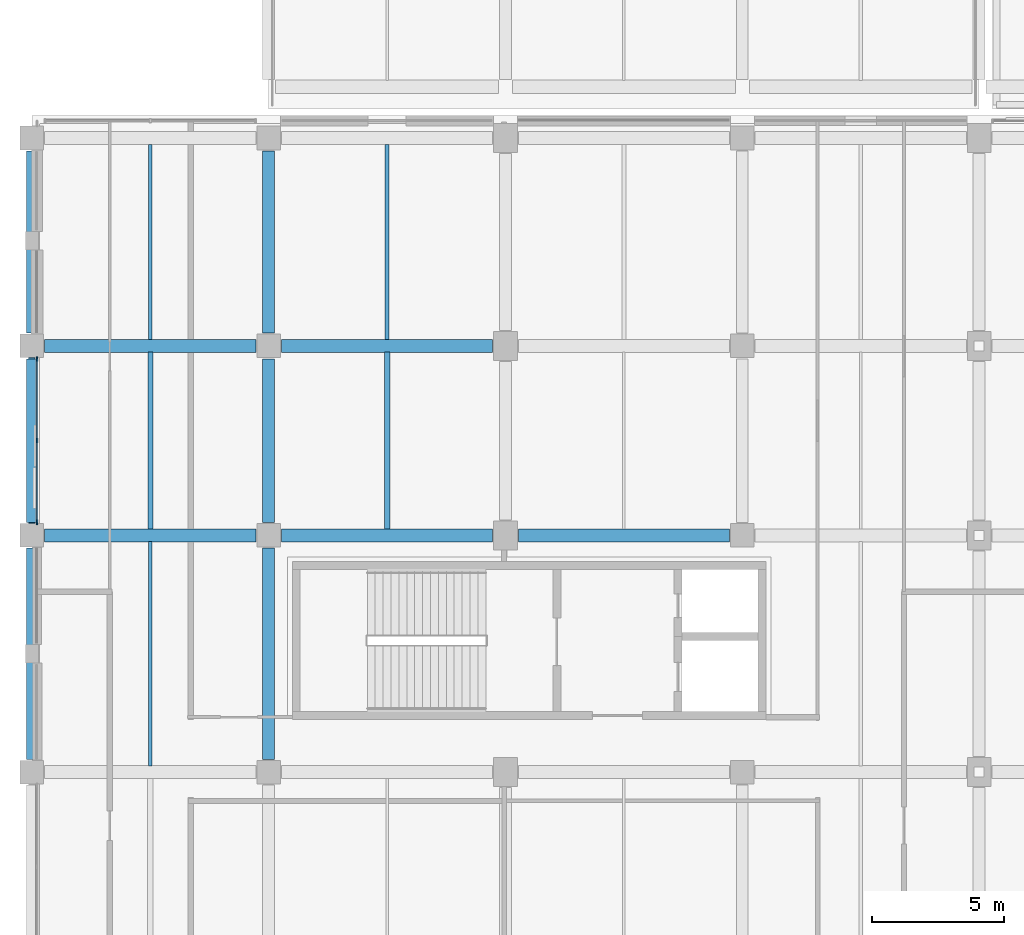
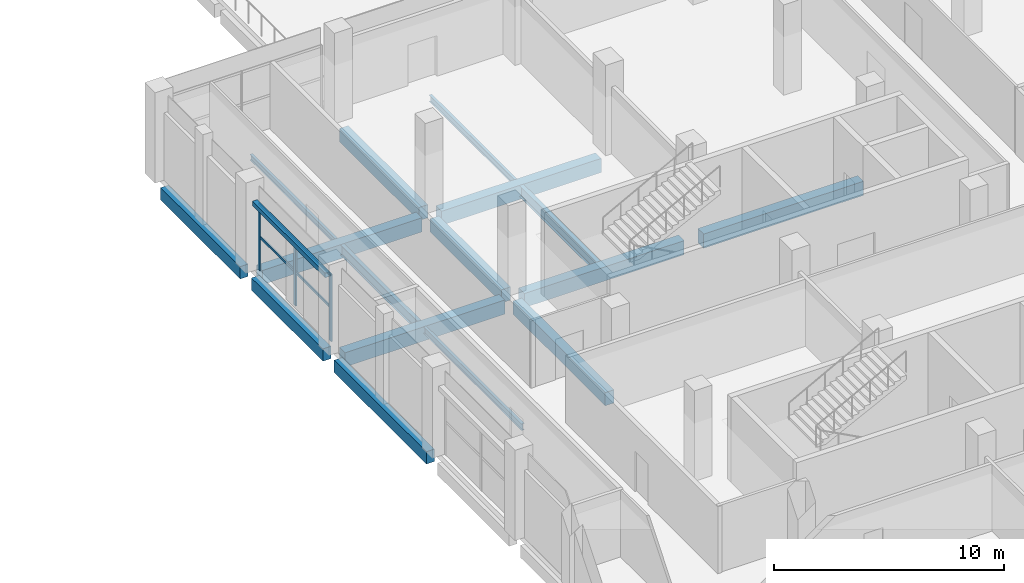
# One storey, part 18 of 82: 16 beams, 6 members, 1 element without a shape of its own.
"""IFC4 building model written with IfcOpenShell, lengths in metres."""

from ifc_helpers import new_model, si_unit, direction, frame, origin, origin_2d, place, context, subcontext, project, spatial, rectangle, hollow_rectangle, i_section, extrude, material, material_profile, profile_set, type_object, element, aggregate, save


model = new_model("IFC4")

# Units and contexts
model_context = context("Model", 3, precision=1e-05, world=origin(), true_north=direction((0.0, 1.0)))
body_context = subcontext(model_context, "Body", "Model", "MODEL_VIEW")
ifc_project = project(units=[si_unit("LENGTHUNIT", "METRE"), si_unit("AREAUNIT", "SQUARE_METRE"), si_unit("VOLUMEUNIT", "CUBIC_METRE"), si_unit("PLANEANGLEUNIT", "RADIAN"), si_unit("MASSUNIT", "GRAM", prefix="KILO"), si_unit("THERMODYNAMICTEMPERATUREUNIT", "KELVIN"), si_unit("POWERUNIT", "WATT")], contexts=[model_context])

# Site, building, storey
site_placement = place(None, origin())
site = spatial("IfcSite", under=ifc_project, at=site_placement, CompositionType="ELEMENT")
building_placement = place(site_placement, origin())
building = spatial("IfcBuilding", under=site, at=building_placement, Name="Sindhuravela Promenade Stadium", CompositionType="ELEMENT")
storey_placement = place(building_placement, frame((0.0, 0.0, 14.39990234375)))
storey = spatial("IfcBuildingStorey", under=building, at=storey_placement, Name="L03", CompositionType="ELEMENT", Elevation=14.39990234375)

# Curtain wall, members
ifc_material_1 = material(Name="Anodised architectural aluminium 6063-T6", Category="aluminium")
curtain_wall_type = type_object("IfcCurtainWallType", Name="CW-MOD-1", PredefinedType="NOTDEFINED", material=ifc_material_1)
curtain_wall_placement = place(storey_placement, origin())
curtain_wall = element("IfcCurtainWall", 1, at=curtain_wall_placement, inside=storey, type_object=curtain_wall_type, Name="Bronze curtain wall CW-WEST-L03-032", PredefinedType="NOTDEFINED")
ifc_material_profile_1 = material_profile(ifc_material_1, rectangle(XDim=0.06005859375, YDim=0.179931640625, at=origin_2d()), Name="ALU M60x180")
ifc_profile_set_1 = profile_set([ifc_material_profile_1], Name="Anodised architectural aluminium 6063-T6")
member_type_1 = type_object("IfcMemberType", Name="CW-MUL-3", PredefinedType="MULLION", material=ifc_profile_set_1)
member_1_placement = place(storey_placement, frame((0.199951171875, 110.300048828125, 0.0), z_axis=(0.0, 0.0, 1.0), x_axis=(1.0, 0.0, 0.0)))
member_1 = element("IfcMember", 2, at=member_1_placement, type_object=member_type_1, Name="Curtain wall mullion CW-WEST-L03-032-M1", PredefinedType="MULLION", context=body_context, shape_type="SweptSolid", body=[
    extrude(rectangle(XDim=0.06005859375, YDim=0.179931640625, at=origin_2d()), origin(), (0.0, 0.0, 1.0), 3.580078125),
])
member_2_placement = place(storey_placement, frame((0.199951171875, 113.39990234375, 0.0), z_axis=(0.0, 0.0, 1.0), x_axis=(1.0, 0.0, 0.0)))
member_2 = element("IfcMember", 3, at=member_2_placement, type_object=member_type_1, Name="Curtain wall mullion CW-WEST-L03-032-M2", PredefinedType="MULLION", context=body_context, shape_type="SweptSolid", body=[
    extrude(rectangle(XDim=0.06005859375, YDim=0.179931640625, at=origin_2d()), origin(), (0.0, 0.0, 1.0), 3.580078125),
])
member_3_placement = place(storey_placement, frame((0.199951171875, 116.5, 0.0), z_axis=(0.0, 0.0, 1.0), x_axis=(1.0, 0.0, 0.0)))
member_3 = element("IfcMember", 4, at=member_3_placement, type_object=member_type_1, Name="Curtain wall mullion CW-WEST-L03-032-M3", PredefinedType="MULLION", context=body_context, shape_type="SweptSolid", body=[
    extrude(rectangle(XDim=0.06005859375, YDim=0.179931640625, at=origin_2d()), origin(), (0.0, 0.0, 1.0), 3.580078125),
])
ifc_material_profile_2 = material_profile(ifc_material_1, rectangle(XDim=0.06005859375, YDim=0.1298828125, at=origin_2d()), Name="ALU T60x130")
ifc_profile_set_2 = profile_set([ifc_material_profile_2], Name="Anodised architectural aluminium 6063-T6")
member_type_2 = type_object("IfcMemberType", Name="CW-TRN-3", PredefinedType="USERDEFINED", material=ifc_profile_set_2)
member_4_placement = place(storey_placement, frame((0.199951171875, 110.27490234375, 1.7900390625), z_axis=(0.0, 1.0, 0.0), x_axis=(-1.0, 0.0, 0.0)))
member_4 = element("IfcMember", 5, at=member_4_placement, type_object=member_type_2, Name="Curtain wall transom CW-WEST-L03-032-T1", ObjectType="TRANSOM", PredefinedType="USERDEFINED", context=body_context, shape_type="SweptSolid", body=[
    extrude(rectangle(XDim=0.06005859375, YDim=0.1298828125, at=origin_2d()), origin(), (0.0, 0.0, 1.0), 6.25),
])
member_5_placement = place(storey_placement, frame((0.199951171875, 110.27490234375, 3.5), z_axis=(0.0, 1.0, 0.0), x_axis=(-1.0, 0.0, 0.0)))
member_5 = element("IfcMember", 6, at=member_5_placement, type_object=member_type_2, Name="Curtain wall transom CW-WEST-L03-032-T2", ObjectType="TRANSOM", PredefinedType="USERDEFINED", context=body_context, shape_type="SweptSolid", body=[
    extrude(rectangle(XDim=0.06005859375, YDim=0.1298828125, at=origin_2d()), origin(), (0.0, 0.0, 1.0), 6.25),
])
aggregate(curtain_wall, [member_1, member_2, member_3, member_4, member_5])

# Beams
ifc_material_2 = material(Name="Concrete M40", Category="concrete")
ifc_material_profile_3 = material_profile(ifc_material_2, rectangle(XDim=0.39990234375, YDim=0.64990234375, at=origin_2d()), Name="RC 400x650")
ifc_profile_set_3 = profile_set([ifc_material_profile_3], Name="Concrete M40")
beam_type_1 = type_object("IfcBeamType", Name="RC-BM-400x650", PredefinedType="SPANDREL", material=ifc_profile_set_3)
beam_1_placement = place(storey_placement, frame((0.0, 101.2900390625, -0.625), z_axis=(0.0, 1.0, 0.0), x_axis=(-1.0, 0.0, 0.0)))
element("IfcBeam", 7, at=beam_1_placement, inside=storey, type_object=beam_type_1, Name="Primary beam SP01 WEST L03", PredefinedType="SPANDREL", context=body_context, shape_type="SweptSolid", body=[
    extrude(rectangle(XDim=0.39990234375, YDim=0.64990234375, at=origin_2d()), origin(), (0.0, 0.0, 1.0), 8.02001953125),
])
beam_2_placement = place(storey_placement, frame((0.0, 110.2900390625, -0.625), z_axis=(0.0, 1.0, 0.0), x_axis=(-1.0, 0.0, 0.0)))
element("IfcBeam", 8, at=beam_2_placement, inside=storey, type_object=beam_type_1, Name="Primary beam SP01 WEST L03", PredefinedType="SPANDREL", context=body_context, shape_type="SweptSolid", body=[
    extrude(rectangle(XDim=0.39990234375, YDim=0.64990234375, at=origin_2d()), origin(), (0.0, 0.0, 1.0), 6.219970703125),
])
beam_3_placement = place(storey_placement, frame((0.0, 117.489990234375, -0.625), z_axis=(0.0, 1.0, 0.0), x_axis=(-1.0, 0.0, 0.0)))
element("IfcBeam", 9, at=beam_3_placement, inside=storey, type_object=beam_type_1, Name="Primary beam SP01 WEST L03", PredefinedType="SPANDREL", context=body_context, shape_type="SweptSolid", body=[
    extrude(rectangle(XDim=0.39990234375, YDim=0.64990234375, at=origin_2d()), origin(), (0.0, 0.0, 1.0), 6.919921875),
])
ifc_material_profile_4 = material_profile(ifc_material_2, rectangle(XDim=0.449951171875, YDim=0.699951171875, at=origin_2d()), Name="RC 450x700")
ifc_profile_set_4 = profile_set([ifc_material_profile_4], Name="Concrete M40")
beam_type_2 = type_object("IfcBeamType", Name="RC-BM-450x700", PredefinedType="BEAM", material=ifc_profile_set_4)
beam_4_placement = place(storey_placement, frame((9.0, 101.2900390625, -0.64990234375), z_axis=(0.0, 1.0, 0.0), x_axis=(-1.0, 0.0, 0.0)))
element("IfcBeam", 10, at=beam_4_placement, inside=storey, type_object=beam_type_2, Name="Primary beam GB07 WEST L03", PredefinedType="BEAM", context=body_context, shape_type="SweptSolid", body=[
    extrude(rectangle(XDim=0.449951171875, YDim=0.699951171875, at=origin_2d()), origin(), (0.0, 0.0, 1.0), 8.02001953125),
])
beam_5_placement = place(storey_placement, frame((9.0, 110.2900390625, -0.64990234375), z_axis=(0.0, 1.0, 0.0), x_axis=(-1.0, 0.0, 0.0)))
element("IfcBeam", 11, at=beam_5_placement, inside=storey, type_object=beam_type_2, Name="Primary beam GB07 WEST L03", PredefinedType="BEAM", context=body_context, shape_type="SweptSolid", body=[
    extrude(rectangle(XDim=0.449951171875, YDim=0.699951171875, at=origin_2d()), origin(), (0.0, 0.0, 1.0), 6.219970703125),
])
beam_6_placement = place(storey_placement, frame((9.0, 117.489990234375, -0.64990234375), z_axis=(0.0, 1.0, 0.0), x_axis=(-1.0, 0.0, 0.0)))
element("IfcBeam", 12, at=beam_6_placement, inside=storey, type_object=beam_type_2, Name="Primary beam GB07 WEST L03", PredefinedType="BEAM", context=body_context, shape_type="SweptSolid", body=[
    extrude(rectangle(XDim=0.449951171875, YDim=0.699951171875, at=origin_2d()), origin(), (0.0, 0.0, 1.0), 6.919921875),
])
ifc_material_profile_5 = material_profile(ifc_material_2, rectangle(XDim=0.5, YDim=0.75, at=origin_2d()), Name="RC 500x750")
ifc_profile_set_5 = profile_set([ifc_material_profile_5], Name="Concrete M40")
beam_type_3 = type_object("IfcBeamType", Name="RC-BM-500x750", PredefinedType="BEAM", material=ifc_profile_set_5)
for number, where, z_axis, x_axis, name in (
    (13, (0.489990234375, 109.800048828125, -0.6748046875), (1.0, 0.0, 0.0), (0.0, 1.0, 0.0), "Primary girder GB06 WEST L03"),
    (14, (9.489990234375, 109.800048828125, -0.6748046875), (1.0, 0.0, 0.0), (0.0, 1.0, 0.0), "Primary girder GB06 WEST L03"),
    (15, (18.489990234375, 109.800048828125, -0.6748046875), (1.0, 0.0, 0.0), (0.0, 1.0, 0.0), "Primary girder GB06 WEST L03"),
    (16, (0.489990234375, 117.0, -0.6748046875), (1.0, 0.0, 0.0), (0.0, 1.0, 0.0), "Primary girder GB06 WEST L03"),
    (17, (9.489990234375, 117.0, -0.6748046875), (1.0, 0.0, 0.0), (0.0, 1.0, 0.0), "Primary girder GB06 WEST L03"),
):
    element("IfcBeam", number, at=place(storey_placement, frame(where, z_axis=z_axis, x_axis=x_axis)), inside=storey, type_object=beam_type_3, Name=name, PredefinedType="BEAM", context=body_context, shape_type="SweptSolid", body=[
        extrude(rectangle(XDim=0.5, YDim=0.75, at=origin_2d()), origin(), (0.0, 0.0, 1.0), 8.02001953125),
    ])
ifc_material_3 = material(Name="Steel E350 (IS 2062 E350BR)", Category="steel")
ifc_material_profile_6 = material_profile(ifc_material_3, i_section(OverallWidth=0.139892578125, OverallDepth=0.300048828125, WebThickness=0.0078125, FlangeThickness=0.01318359375, FilletRadius=0.013916015625, at=origin_2d()), Name="ISMB 300")
ifc_profile_set_6 = profile_set([ifc_material_profile_6], Name="Steel E350 (IS 2062 E350BR)")
beam_type_4 = type_object("IfcBeamType", Name="ST-BM-MB300", PredefinedType="JOIST", material=ifc_profile_set_6)
beam_7_placement = place(storey_placement, frame((4.5, 117.239990234375, -0.449951171875), z_axis=(0.0, 1.0, 0.0), x_axis=(-1.0, 0.0, 0.0)))
element("IfcBeam", 18, at=beam_7_placement, inside=storey, type_object=beam_type_4, Name="Secondary floor joist SB03 WEST L03", PredefinedType="JOIST", context=body_context, shape_type="SweptSolid", body=[
    extrude(i_section(OverallWidth=0.139892578125, OverallDepth=0.300048828125, WebThickness=0.0078125, FlangeThickness=0.01318359375, FilletRadius=0.013916015625, at=origin_2d()), origin(), (0.0, 0.0, 1.0), 7.419921875),
])
ifc_material_profile_7 = material_profile(ifc_material_3, i_section(OverallWidth=0.139892578125, OverallDepth=0.35009765625, WebThickness=0.008056640625, FlangeThickness=0.01416015625, FilletRadius=0.013916015625, at=origin_2d()), Name="ISMB 350")
ifc_profile_set_7 = profile_set([ifc_material_profile_7], Name="Steel E350 (IS 2062 E350BR)")
beam_type_5 = type_object("IfcBeamType", Name="ST-BM-MB350", PredefinedType="JOIST", material=ifc_profile_set_7)
beam_8_placement = place(storey_placement, frame((4.5, 101.0400390625, -0.474853515625), z_axis=(0.0, 1.0, 0.0), x_axis=(-1.0, 0.0, 0.0)))
element("IfcBeam", 19, at=beam_8_placement, inside=storey, type_object=beam_type_5, Name="Secondary floor joist SB04 WEST L03", PredefinedType="JOIST", context=body_context, shape_type="SweptSolid", body=[
    extrude(i_section(OverallWidth=0.139892578125, OverallDepth=0.35009765625, WebThickness=0.008056640625, FlangeThickness=0.01416015625, FilletRadius=0.013916015625, at=origin_2d()), origin(), (0.0, 0.0, 1.0), 8.52001953125),
])
beam_9_placement = place(storey_placement, frame((13.5, 117.239990234375, -0.474853515625), z_axis=(0.0, 1.0, 0.0), x_axis=(-1.0, 0.0, 0.0)))
element("IfcBeam", 20, at=beam_9_placement, inside=storey, type_object=beam_type_5, Name="Secondary floor joist SB04 WEST L03", PredefinedType="JOIST", context=body_context, shape_type="SweptSolid", body=[
    extrude(i_section(OverallWidth=0.139892578125, OverallDepth=0.35009765625, WebThickness=0.008056640625, FlangeThickness=0.01416015625, FilletRadius=0.013916015625, at=origin_2d()), origin(), (0.0, 0.0, 1.0), 7.419921875),
])
ifc_material_profile_8 = material_profile(ifc_material_3, i_section(OverallWidth=0.18994140625, OverallDepth=0.550048828125, WebThickness=0.01123046875, FlangeThickness=0.019287109375, FilletRadius=0.01806640625, at=origin_2d()), Name="ISMB 550")
ifc_profile_set_8 = profile_set([ifc_material_profile_8], Name="Steel E350 (IS 2062 E350BR)")
beam_type_6 = type_object("IfcBeamType", Name="ST-BM-MB550", PredefinedType="SPANDREL", material=ifc_profile_set_8)
beam_10_placement = place(storey_placement, frame((4.5, 110.0400390625, -0.574951171875), z_axis=(0.0, 1.0, 0.0), x_axis=(-1.0, 0.0, 0.0)))
element("IfcBeam", 21, at=beam_10_placement, inside=storey, type_object=beam_type_6, Name="Secondary floor joist SB08 WEST L03", PredefinedType="SPANDREL", context=body_context, shape_type="SweptSolid", body=[
    extrude(i_section(OverallWidth=0.18994140625, OverallDepth=0.550048828125, WebThickness=0.01123046875, FlangeThickness=0.019287109375, FilletRadius=0.01806640625, at=origin_2d()), origin(), (0.0, 0.0, 1.0), 6.719970703125),
])
ifc_material_profile_9 = material_profile(ifc_material_3, i_section(OverallWidth=0.2099609375, OverallDepth=0.60009765625, WebThickness=0.011962890625, FlangeThickness=0.020751953125, FilletRadius=0.02001953125, at=origin_2d()), Name="ISMB 600")
ifc_profile_set_9 = profile_set([ifc_material_profile_9], Name="Steel E350 (IS 2062 E350BR)")
beam_type_7 = type_object("IfcBeamType", Name="ST-BM-MB600", PredefinedType="BEAM", material=ifc_profile_set_9)
beam_11_placement = place(storey_placement, frame((13.5, 110.0400390625, -0.599853515625), z_axis=(0.0, 1.0, 0.0), x_axis=(-1.0, 0.0, 0.0)))
element("IfcBeam", 22, at=beam_11_placement, inside=storey, type_object=beam_type_7, Name="Secondary floor joist SB09 WEST L03", PredefinedType="BEAM", context=body_context, shape_type="SweptSolid", body=[
    extrude(i_section(OverallWidth=0.2099609375, OverallDepth=0.60009765625, WebThickness=0.011962890625, FlangeThickness=0.020751953125, FilletRadius=0.02001953125, at=origin_2d()), origin(), (0.0, 0.0, 1.0), 6.719970703125),
])

# Member
ifc_material_profile_10 = material_profile(ifc_material_3, hollow_rectangle(XDim=0.25, YDim=0.25, WallThickness=0.011962890625, at=origin_2d()), Name="SHS 250x250x12")
ifc_profile_set_10 = profile_set([ifc_material_profile_10], Name="Steel E350 (IS 2062 E350BR)")
member_type_3 = type_object("IfcMemberType", Name="ST-MB-SHS250", PredefinedType="CHORD", material=ifc_profile_set_10)
member_6_placement = place(storey_placement, frame((0.0, 110.241943359375, 3.60009765625), z_axis=(0.0, 1.0, 0.0), x_axis=(-1.0, 0.0, 0.0)))
element("IfcMember", 23, at=member_6_placement, inside=storey, type_object=member_type_3, Name="Portal tie member MC01-11", PredefinedType="CHORD", context=body_context, shape_type="SweptSolid", body=[
    extrude(hollow_rectangle(XDim=0.25, YDim=0.25, WallThickness=0.011962890625, at=origin_2d()), origin(), (0.0, 0.0, 1.0), 6.316162109375),
])

save(model, "model.ifc")
